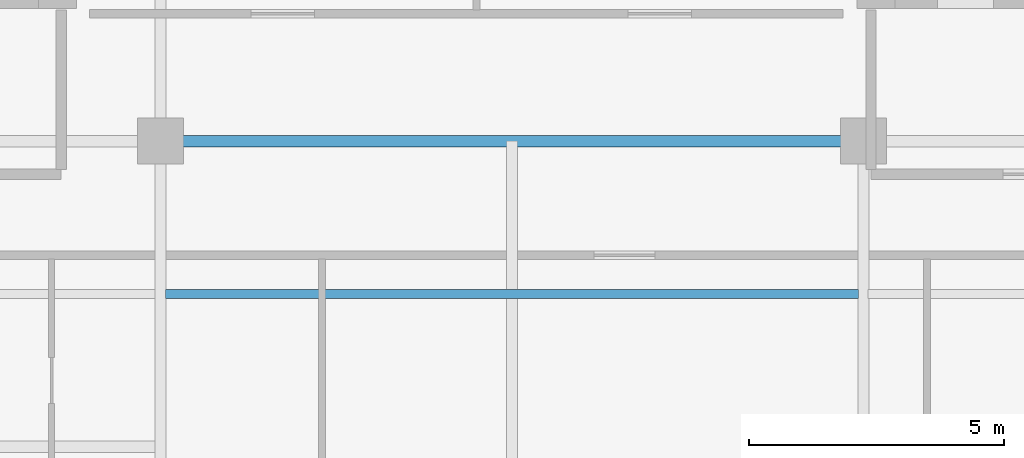
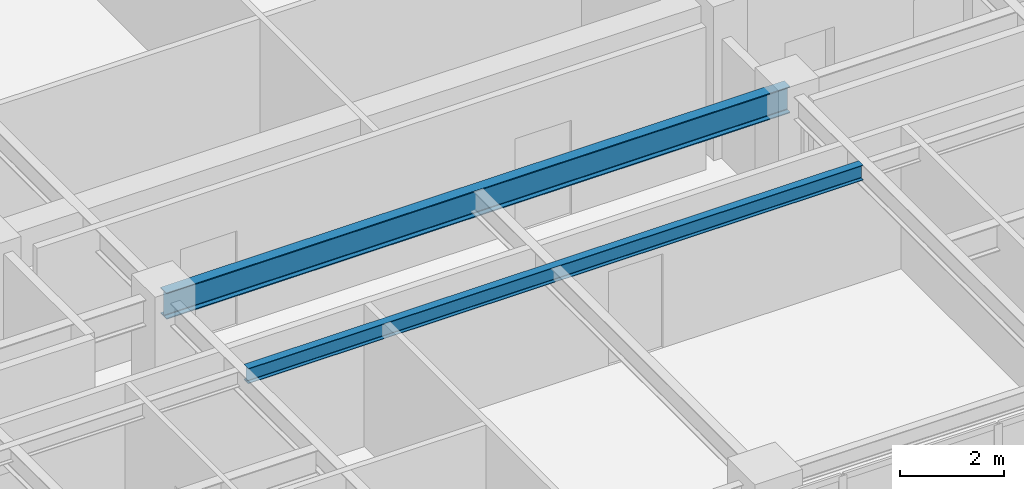
# One storey, part 6 of 26: 2 beams.
"""IFC4 building model written with IfcOpenShell, lengths in metres."""

from ifc_helpers import new_model, si_unit, direction, frame, origin, origin_2d, place, context, subcontext, project, spatial, i_section, extrude, source, transform, mapped, material, material_profile, profile_set, type_object, element, save


model = new_model("IFC4")

# Units and contexts
model_context = context("Model", 3, precision=1e-05, world=origin(), true_north=direction((0.0, 1.0)))
body_context = subcontext(model_context, "Body", "Model", "MODEL_VIEW")
ifc_project = project(units=[si_unit("LENGTHUNIT", "METRE"), si_unit("AREAUNIT", "SQUARE_METRE"), si_unit("VOLUMEUNIT", "CUBIC_METRE"), si_unit("PLANEANGLEUNIT", "RADIAN"), si_unit("MASSUNIT", "GRAM", prefix="KILO")], contexts=[model_context])

# Site, building, storey
site_placement = place(None, origin())
site = spatial("IfcSite", under=ifc_project, at=site_placement, CompositionType="ELEMENT")
building_placement = place(site_placement, origin())
building = spatial("IfcBuilding", under=site, at=building_placement, Name="Khoralis Quay Care Tower", CompositionType="ELEMENT")
storey_placement = place(building_placement, frame((0.0, 0.0, 126.89990234375)))
storey = spatial("IfcBuildingStorey", under=building, at=storey_placement, Name="L33", CompositionType="ELEMENT", Elevation=126.89990234375)

# Beams
ifc_material = material(Name="Steel S355", Category="steel")
ifc_material_profile_1 = material_profile(ifc_material, i_section(OverallWidth=0.22998046875, OverallDepth=0.616943359375, WebThickness=0.01318359375, FlangeThickness=0.022216796875, FilletRadius=0.01806640625, at=origin_2d()), Name="Steel S355")
ifc_profile_set_1 = profile_set([ifc_material_profile_1], Name="Steel S355")
beam_type_1 = type_object("IfcBeamType", Name="BM-W610X140", PredefinedType="BEAM", material=ifc_profile_set_1)
shared_shape_1 = source(origin(), body_context, "Body", "SweptSolid", [
    extrude(i_section(OverallWidth=0.22998046875, OverallDepth=0.616943359375, WebThickness=0.01318359375, FlangeThickness=0.022216796875, FilletRadius=0.01806640625, at=origin_2d()), origin(), (0.0, 0.0, 1.0), 13.7998046875),
])
beam_1_placement = place(storey_placement, frame((17.10009765625, 12.0, 3.031494140625), z_axis=(1.0, 0.0, 0.0), x_axis=(0.0, 1.0, 0.0)))
element("IfcBeam", 1, at=beam_1_placement, inside=storey, type_object=beam_type_1, Name="BM-TGCC-L33-120", PredefinedType="BEAM", context=body_context, shape_type="MappedRepresentation", body=[
    mapped(shared_shape_1, transform((0.0, 0.0, 0.0), scale=1.0)),
])
ifc_material_profile_2 = material_profile(ifc_material, i_section(OverallWidth=0.1708984375, OverallDepth=0.35498046875, WebThickness=0.007080078125, FlangeThickness=0.01171875, FilletRadius=0.012939453125, at=origin_2d()), Name="Steel S355")
ifc_profile_set_2 = profile_set([ifc_material_profile_2], Name="Steel S355")
beam_type_2 = type_object("IfcBeamType", Name="BM-W360X51", PredefinedType="JOIST", material=ifc_profile_set_2)
shared_shape_2 = source(origin(), body_context, "Body", "SweptSolid", [
    extrude(i_section(OverallWidth=0.1708984375, OverallDepth=0.35498046875, WebThickness=0.007080078125, FlangeThickness=0.01171875, FilletRadius=0.012939453125, at=origin_2d()), origin(), (0.0, 0.0, 1.0), 13.61181640625),
])
beam_2_placement = place(storey_placement, frame((17.194091796875, 9.0, 3.16259765625), z_axis=(1.0, 0.0, 0.0), x_axis=(0.0, 1.0, 0.0)))
element("IfcBeam", 2, at=beam_2_placement, inside=storey, type_object=beam_type_2, Name="BM-TJS-L33-27", PredefinedType="JOIST", context=body_context, shape_type="MappedRepresentation", body=[
    mapped(shared_shape_2, transform((0.0, 0.0, 0.0), scale=1.0)),
])

save(model, "model.ifc")
